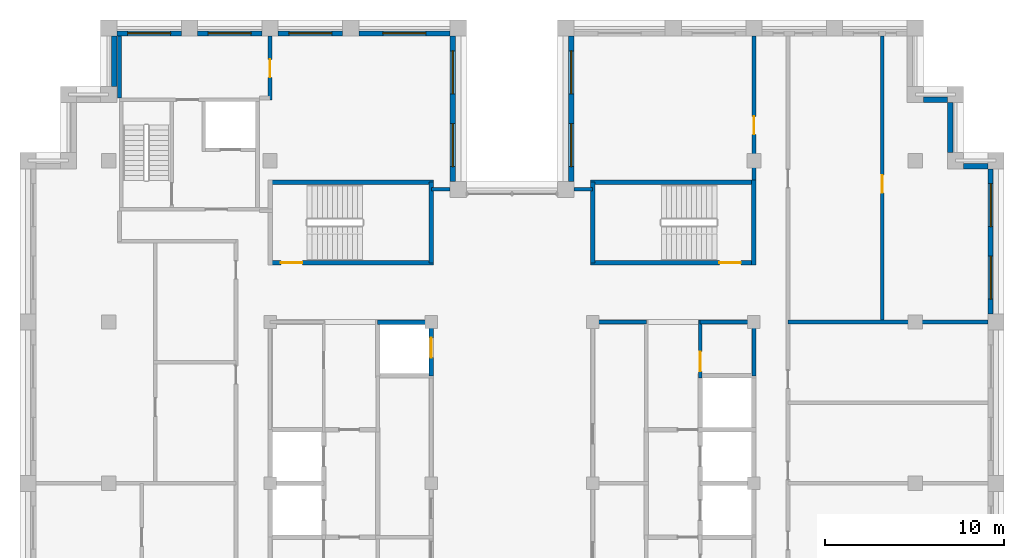
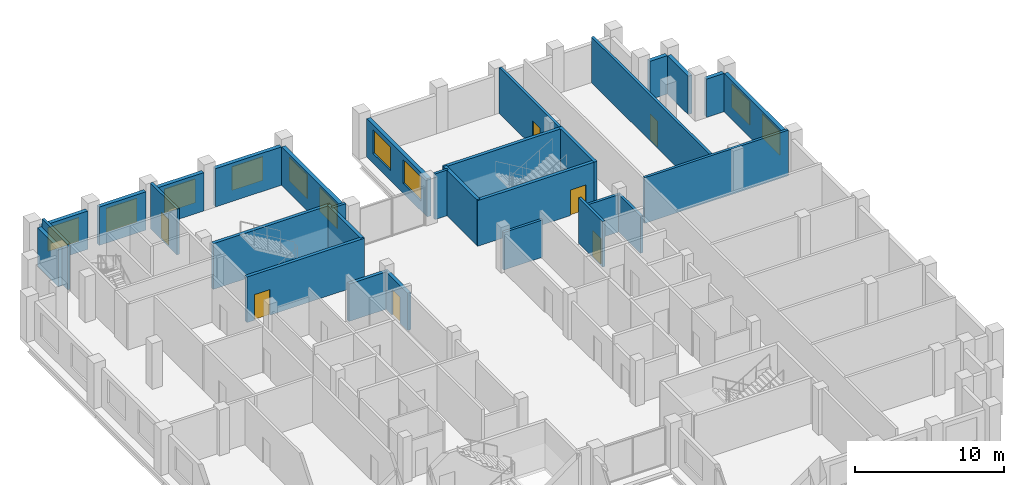
# One storey, part 10 of 13: 31 walls, 10 windows, 7 doors, 17 openings.
"""IFC4 building model written with IfcOpenShell, lengths in metres."""

from ifc_helpers import new_model, si_unit, direction, frame, frame_2d, origin, place, context, subcontext, project, spatial, rectangle, extrude, material, layer, layer_set, type_object, element, fill, save


model = new_model("IFC4")

# Units and contexts
model_context = context("Model", 3, precision=1e-05, world=origin(), true_north=direction((0.0, 1.0)))
body_context = subcontext(model_context, "Body", "Model", "MODEL_VIEW")
ifc_project = project(units=[si_unit("LENGTHUNIT", "METRE"), si_unit("AREAUNIT", "SQUARE_METRE"), si_unit("VOLUMEUNIT", "CUBIC_METRE"), si_unit("PLANEANGLEUNIT", "RADIAN"), si_unit("MASSUNIT", "GRAM", prefix="KILO")], contexts=[model_context])

# Site, building, storey
site_placement = place(None, origin())
site = spatial("IfcSite", under=ifc_project, at=site_placement, CompositionType="ELEMENT")
building_placement = place(site_placement, origin())
building = spatial("IfcBuilding", under=site, at=building_placement, Name="Corbelhall Arena Tower", CompositionType="ELEMENT")
storey_placement = place(building_placement, frame((0.0, 0.0, 338.0)))
storey = spatial("IfcBuildingStorey", under=building, at=storey_placement, Name="L74", CompositionType="ELEMENT", Elevation=338.0)

# Wall, openings, windows
ifc_material_1 = material(Name="Precast concrete C40/50 with granite facing", Category="masonry")
ifc_layer_1 = layer(ifc_material_1, 0.300048828125)
ifc_layer_set_1 = layer_set([ifc_layer_1], Name="EV-IW1 Infill panel 300")
wall_type_1 = type_object("IfcWallType", Name="EV-IW1 Infill panel 300", PredefinedType="SOLIDWALL", material=ifc_layer_set_1)
wall_1_placement = place(storey_placement, frame((26.699951171875, 9.449951171875, 0.0), z_axis=(0.0, 0.0, 1.0), x_axis=(0.0, 1.0, 0.0)))
wall_1 = element("IfcWall", 1, at=wall_1_placement, inside=storey, type_object=wall_type_1, Name="Infill panel IW1", PredefinedType="SOLIDWALL", context=body_context, shape_type="SweptSolid", body=[
    extrude(rectangle(XDim=8.10009765625, YDim=0.300048828125, at=frame_2d((4.050048828125, 0.0))), origin(), (0.0, 0.0, 1.0), 3.139892578125),
])
opening_1_placement = place(wall_1_placement, frame((0.824951171875, 0.0, 0.800048828125)))
opening_1 = element("IfcOpeningElement", 2, at=opening_1_placement, cuts=wall_1, Name="Opening WN1", PredefinedType="OPENING", context=body_context, shape_type="SweptSolid", body=[
    extrude(rectangle(XDim=2.39990234375, YDim=1.949951171875, at=frame_2d((1.199951171875, 0.97509765625))), frame((0.0, 0.14990234375, 0.0), z_axis=(0.0, -1.0, 0.0), x_axis=(1.0, 0.0, 0.0)), (0.0, 0.0, 1.0), 0.300048828125),
])
opening_2_placement = place(wall_1_placement, frame((4.875, 0.0, 0.800048828125)))
opening_2 = element("IfcOpeningElement", 3, at=opening_2_placement, cuts=wall_1, Name="Opening WN1", PredefinedType="OPENING", context=body_context, shape_type="SweptSolid", body=[
    extrude(rectangle(XDim=2.39990234375, YDim=1.949951171875, at=frame_2d((1.199951171875, 0.97509765625))), frame((0.0, 0.14990234375, 0.0), z_axis=(0.0, -1.0, 0.0), x_axis=(1.0, 0.0, 0.0)), (0.0, 0.0, 1.0), 0.300048828125),
])
ifc_material_2 = material(Name="Aluminium black anodised", Category="aluminium")
window_type = type_object("IfcWindowType", Name="EV-WN1 Office window", PartitioningType="SINGLE_PANEL", PredefinedType="WINDOW", material=ifc_material_2)
window_1_placement = place(opening_1_placement, origin())
window_1 = element("IfcWindow", 4, at=window_1_placement, inside=storey, type_object=window_type, Name="Window WN1", OverallHeight=1.949951171875, OverallWidth=2.39990234375, PartitioningType="SINGLE_PANEL", PredefinedType="WINDOW", context=body_context, shape_type="SweptSolid", body=[
    extrude(rectangle(XDim=2.39990234375, YDim=1.949951171875, at=frame_2d((1.199951171875, 0.97509765625))), frame((0.0, 0.030029296875, 0.0), z_axis=(0.0, -1.0, 0.0), x_axis=(1.0, 0.0, 0.0)), (0.0, 0.0, 1.0), 0.06005859375),
])
fill(opening_1, window_1)
window_2_placement = place(opening_2_placement, origin())
window_2 = element("IfcWindow", 5, at=window_2_placement, inside=storey, type_object=window_type, Name="Window WN1", OverallHeight=1.949951171875, OverallWidth=2.39990234375, PartitioningType="SINGLE_PANEL", PredefinedType="WINDOW", context=body_context, shape_type="SweptSolid", body=[
    extrude(rectangle(XDim=2.39990234375, YDim=1.949951171875, at=frame_2d((1.199951171875, 0.97509765625))), frame((0.0, 0.030029296875, 0.0), z_axis=(0.0, -1.0, 0.0), x_axis=(1.0, 0.0, 0.0)), (0.0, 0.0, 1.0), 0.06005859375),
])
fill(opening_2, window_2)

# Walls
wall_2_placement = place(storey_placement, frame((26.550048828125, 17.699951171875, 0.0), z_axis=(0.0, 0.0, 1.0), x_axis=(-1.0, 0.0, 0.0)))
element("IfcWall", 6, at=wall_2_placement, inside=storey, type_object=wall_type_1, Name="Infill panel IW1", PredefinedType="SOLIDWALL", context=body_context, shape_type="SweptSolid", body=[
    extrude(rectangle(XDim=1.35009765625, YDim=0.300048828125, at=frame_2d((0.675048828125, 0.0))), origin(), (0.0, 0.0, 1.0), 3.139892578125),
])
wall_3_placement = place(storey_placement, frame((24.449951171875, 18.449951171875, 0.0), z_axis=(0.0, 0.0, 1.0), x_axis=(0.0, 1.0, 0.0)))
element("IfcWall", 7, at=wall_3_placement, inside=storey, type_object=wall_type_1, Name="Infill panel IW1", PredefinedType="SOLIDWALL", context=body_context, shape_type="SweptSolid", body=[
    extrude(rectangle(XDim=2.800048828125, YDim=0.300048828125, at=frame_2d((1.39990234375, 0.0))), origin(), (0.0, 0.0, 1.0), 3.139892578125),
])
wall_4_placement = place(storey_placement, frame((24.300048828125, 21.39990234375, 0.0), z_axis=(0.0, 0.0, 1.0), x_axis=(-1.0, 0.0, 0.0)))
element("IfcWall", 8, at=wall_4_placement, inside=storey, type_object=wall_type_1, Name="Infill panel IW1", PredefinedType="SOLIDWALL", context=body_context, shape_type="SweptSolid", body=[
    extrude(rectangle(XDim=1.35009765625, YDim=0.300048828125, at=frame_2d((0.675048828125, 0.0))), origin(), (0.0, 0.0, 1.0), 3.139892578125),
])

# Wall, openings, windows
wall_5_placement = place(storey_placement, frame((3.300048828125, 24.949951171875, 0.0), z_axis=(0.0, 0.0, 1.0), x_axis=(0.0, -1.0, 0.0)))
wall_5 = element("IfcWall", 9, at=wall_5_placement, inside=storey, type_object=wall_type_1, Name="Infill panel IW1", PredefinedType="SOLIDWALL", context=body_context, shape_type="SweptSolid", body=[
    extrude(rectangle(XDim=8.099853515625, YDim=0.300048828125, at=frame_2d((4.0498046875, 0.0))), origin(), (0.0, 0.0, 1.0), 3.139892578125),
])
opening_3_placement = place(wall_5_placement, frame((0.824951171875, 0.0, 0.800048828125)))
opening_3 = element("IfcOpeningElement", 10, at=opening_3_placement, cuts=wall_5, Name="Opening WN1", PredefinedType="OPENING", context=body_context, shape_type="SweptSolid", body=[
    extrude(rectangle(XDim=2.39990234375, YDim=1.949951171875, at=frame_2d((1.199951171875, 0.97509765625))), frame((0.0, 0.14990234375, 0.0), z_axis=(0.0, -1.0, 0.0), x_axis=(1.0, 0.0, 0.0)), (0.0, 0.0, 1.0), 0.300048828125),
])
opening_4_placement = place(wall_5_placement, frame((4.875, 0.0, 0.800048828125)))
opening_4 = element("IfcOpeningElement", 11, at=opening_4_placement, cuts=wall_5, Name="Opening WN1", PredefinedType="OPENING", context=body_context, shape_type="SweptSolid", body=[
    extrude(rectangle(XDim=2.39990234375, YDim=1.949951171875, at=frame_2d((1.199951171875, 0.97509765625))), frame((0.0, 0.14990234375, 0.0), z_axis=(0.0, -1.0, 0.0), x_axis=(1.0, 0.0, 0.0)), (0.0, 0.0, 1.0), 0.300048828125),
])
window_3_placement = place(opening_3_placement, origin())
window_3 = element("IfcWindow", 12, at=window_3_placement, inside=storey, type_object=window_type, Name="Window WN1", OverallHeight=1.949951171875, OverallWidth=2.39990234375, PartitioningType="SINGLE_PANEL", PredefinedType="WINDOW", context=body_context, shape_type="SweptSolid", body=[
    extrude(rectangle(XDim=2.39990234375, YDim=1.949951171875, at=frame_2d((1.199951171875, 0.97509765625))), frame((0.0, 0.030029296875, 0.0), z_axis=(0.0, -1.0, 0.0), x_axis=(1.0, 0.0, 0.0)), (0.0, 0.0, 1.0), 0.06005859375),
])
fill(opening_3, window_3)
window_4_placement = place(opening_4_placement, origin())
window_4 = element("IfcWindow", 13, at=window_4_placement, inside=storey, type_object=window_type, Name="Window WN1", OverallHeight=1.949951171875, OverallWidth=2.39990234375, PartitioningType="SINGLE_PANEL", PredefinedType="WINDOW", context=body_context, shape_type="SweptSolid", body=[
    extrude(rectangle(XDim=2.39990234375, YDim=1.949951171875, at=frame_2d((1.199951171875, 0.97509765625))), frame((0.0, 0.030029296875, 0.0), z_axis=(0.0, -1.0, 0.0), x_axis=(1.0, 0.0, 0.0)), (0.0, 0.0, 1.0), 0.06005859375),
])
fill(opening_4, window_4)

wall_6_placement = place(storey_placement, frame((-3.300048828125, 16.85009765625, 0.0), z_axis=(0.0, 0.0, 1.0), x_axis=(0.0, 1.0, 0.0)))
wall_6 = element("IfcWall", 14, at=wall_6_placement, inside=storey, type_object=wall_type_1, Name="Infill panel IW1", PredefinedType="SOLIDWALL", context=body_context, shape_type="SweptSolid", body=[
    extrude(rectangle(XDim=8.099853515625, YDim=0.300048828125, at=frame_2d((4.0498046875, 0.0))), origin(), (0.0, 0.0, 1.0), 3.139892578125),
])
opening_5_placement = place(wall_6_placement, frame((0.824951171875, 0.0, 0.800048828125)))
opening_5 = element("IfcOpeningElement", 15, at=opening_5_placement, cuts=wall_6, Name="Opening WN1", PredefinedType="OPENING", context=body_context, shape_type="SweptSolid", body=[
    extrude(rectangle(XDim=2.39990234375, YDim=1.949951171875, at=frame_2d((1.199951171875, 0.97509765625))), frame((0.0, 0.14990234375, 0.0), z_axis=(0.0, -1.0, 0.0), x_axis=(1.0, 0.0, 0.0)), (0.0, 0.0, 1.0), 0.300048828125),
])
opening_6_placement = place(wall_6_placement, frame((4.875, 0.0, 0.800048828125)))
opening_6 = element("IfcOpeningElement", 16, at=opening_6_placement, cuts=wall_6, Name="Opening WN1", PredefinedType="OPENING", context=body_context, shape_type="SweptSolid", body=[
    extrude(rectangle(XDim=2.39990234375, YDim=1.949951171875, at=frame_2d((1.199951171875, 0.97509765625))), frame((0.0, 0.14990234375, 0.0), z_axis=(0.0, -1.0, 0.0), x_axis=(1.0, 0.0, 0.0)), (0.0, 0.0, 1.0), 0.300048828125),
])
window_5_placement = place(opening_5_placement, origin())
window_5 = element("IfcWindow", 17, at=window_5_placement, inside=storey, type_object=window_type, Name="Window WN1", OverallHeight=1.949951171875, OverallWidth=2.39990234375, PartitioningType="SINGLE_PANEL", PredefinedType="WINDOW", context=body_context, shape_type="SweptSolid", body=[
    extrude(rectangle(XDim=2.39990234375, YDim=1.949951171875, at=frame_2d((1.199951171875, 0.97509765625))), frame((0.0, 0.030029296875, 0.0), z_axis=(0.0, -1.0, 0.0), x_axis=(1.0, 0.0, 0.0)), (0.0, 0.0, 1.0), 0.06005859375),
])
fill(opening_5, window_5)
window_6_placement = place(opening_6_placement, origin())
window_6 = element("IfcWindow", 18, at=window_6_placement, inside=storey, type_object=window_type, Name="Window WN1", OverallHeight=1.949951171875, OverallWidth=2.39990234375, PartitioningType="SINGLE_PANEL", PredefinedType="WINDOW", context=body_context, shape_type="SweptSolid", body=[
    extrude(rectangle(XDim=2.39990234375, YDim=1.949951171875, at=frame_2d((1.199951171875, 0.97509765625))), frame((0.0, 0.030029296875, 0.0), z_axis=(0.0, -1.0, 0.0), x_axis=(1.0, 0.0, 0.0)), (0.0, 0.0, 1.0), 0.06005859375),
])
fill(opening_6, window_6)

# Wall, opening, window
wall_7_placement = place(storey_placement, frame((-3.449951171875, 25.10009765625, 0.0), z_axis=(0.0, 0.0, 1.0), x_axis=(-1.0, 0.0, 0.0)))
wall_7 = element("IfcWall", 19, at=wall_7_placement, inside=storey, type_object=wall_type_1, Name="Infill panel IW1", PredefinedType="SOLIDWALL", context=body_context, shape_type="SweptSolid", body=[
    extrude(rectangle(XDim=5.10009765625, YDim=0.300048828125, at=frame_2d((2.550048828125, 0.0))), origin(), (0.0, 0.0, 1.0), 3.139892578125),
])
opening_7_placement = place(wall_7_placement, frame((1.35009765625, 0.0, 0.800048828125)))
opening_7 = element("IfcOpeningElement", 20, at=opening_7_placement, cuts=wall_7, Name="Opening WN1", PredefinedType="OPENING", context=body_context, shape_type="SweptSolid", body=[
    extrude(rectangle(XDim=2.39990234375, YDim=1.949951171875, at=frame_2d((1.199951171875, 0.97509765625))), frame((0.0, 0.14990234375, 0.0), z_axis=(0.0, -1.0, 0.0), x_axis=(1.0, 0.0, 0.0)), (0.0, 0.0, 1.0), 0.300048828125),
])
window_7_placement = place(opening_7_placement, origin())
window_7 = element("IfcWindow", 21, at=window_7_placement, inside=storey, type_object=window_type, Name="Window WN1", OverallHeight=1.949951171875, OverallWidth=2.39990234375, PartitioningType="SINGLE_PANEL", PredefinedType="WINDOW", context=body_context, shape_type="SweptSolid", body=[
    extrude(rectangle(XDim=2.39990234375, YDim=1.949951171875, at=frame_2d((1.199951171875, 0.97509765625))), frame((0.0, 0.030029296875, 0.0), z_axis=(0.0, -1.0, 0.0), x_axis=(1.0, 0.0, 0.0)), (0.0, 0.0, 1.0), 0.06005859375),
])
fill(opening_7, window_7)

wall_8_placement = place(storey_placement, frame((-9.449951171875, 25.10009765625, 0.0), z_axis=(0.0, 0.0, 1.0), x_axis=(-1.0, 0.0, 0.0)))
wall_8 = element("IfcWall", 22, at=wall_8_placement, inside=storey, type_object=wall_type_1, Name="Infill panel IW1", PredefinedType="SOLIDWALL", context=body_context, shape_type="SweptSolid", body=[
    extrude(rectangle(XDim=3.60009765625, YDim=0.300048828125, at=frame_2d((1.800048828125, 0.0))), origin(), (0.0, 0.0, 1.0), 3.139892578125),
])
opening_8_placement = place(wall_8_placement, frame((0.60009765625, 0.0, 0.800048828125)))
opening_8 = element("IfcOpeningElement", 23, at=opening_8_placement, cuts=wall_8, Name="Opening WN1", PredefinedType="OPENING", context=body_context, shape_type="SweptSolid", body=[
    extrude(rectangle(XDim=2.39990234375, YDim=1.949951171875, at=frame_2d((1.199951171875, 0.97509765625))), frame((0.0, 0.14990234375, 0.0), z_axis=(0.0, -1.0, 0.0), x_axis=(1.0, 0.0, 0.0)), (0.0, 0.0, 1.0), 0.300048828125),
])
window_8_placement = place(opening_8_placement, origin())
window_8 = element("IfcWindow", 24, at=window_8_placement, inside=storey, type_object=window_type, Name="Window WN1", OverallHeight=1.949951171875, OverallWidth=2.39990234375, PartitioningType="SINGLE_PANEL", PredefinedType="WINDOW", context=body_context, shape_type="SweptSolid", body=[
    extrude(rectangle(XDim=2.39990234375, YDim=1.949951171875, at=frame_2d((1.199951171875, 0.97509765625))), frame((0.0, 0.030029296875, 0.0), z_axis=(0.0, -1.0, 0.0), x_axis=(1.0, 0.0, 0.0)), (0.0, 0.0, 1.0), 0.06005859375),
])
fill(opening_8, window_8)

wall_9_placement = place(storey_placement, frame((-13.949951171875, 25.10009765625, 0.0), z_axis=(0.0, 0.0, 1.0), x_axis=(-1.0, 0.0, 0.0)))
wall_9 = element("IfcWall", 25, at=wall_9_placement, inside=storey, type_object=wall_type_1, Name="Infill panel IW1", PredefinedType="SOLIDWALL", context=body_context, shape_type="SweptSolid", body=[
    extrude(rectangle(XDim=3.60009765625, YDim=0.300048828125, at=frame_2d((1.800048828125, 0.0))), origin(), (0.0, 0.0, 1.0), 3.139892578125),
])
opening_9_placement = place(wall_9_placement, frame((0.60009765625, 0.0, 0.800048828125)))
opening_9 = element("IfcOpeningElement", 26, at=opening_9_placement, cuts=wall_9, Name="Opening WN1", PredefinedType="OPENING", context=body_context, shape_type="SweptSolid", body=[
    extrude(rectangle(XDim=2.39990234375, YDim=1.949951171875, at=frame_2d((1.199951171875, 0.97509765625))), frame((0.0, 0.14990234375, 0.0), z_axis=(0.0, -1.0, 0.0), x_axis=(1.0, 0.0, 0.0)), (0.0, 0.0, 1.0), 0.300048828125),
])
window_9_placement = place(opening_9_placement, origin())
window_9 = element("IfcWindow", 27, at=window_9_placement, inside=storey, type_object=window_type, Name="Window WN1", OverallHeight=1.949951171875, OverallWidth=2.39990234375, PartitioningType="SINGLE_PANEL", PredefinedType="WINDOW", context=body_context, shape_type="SweptSolid", body=[
    extrude(rectangle(XDim=2.39990234375, YDim=1.949951171875, at=frame_2d((1.199951171875, 0.97509765625))), frame((0.0, 0.030029296875, 0.0), z_axis=(0.0, -1.0, 0.0), x_axis=(1.0, 0.0, 0.0)), (0.0, 0.0, 1.0), 0.06005859375),
])
fill(opening_9, window_9)

wall_10_placement = place(storey_placement, frame((-18.449951171875, 25.10009765625, 0.0), z_axis=(0.0, 0.0, 1.0), x_axis=(-1.0, 0.0, 0.0)))
wall_10 = element("IfcWall", 28, at=wall_10_placement, inside=storey, type_object=wall_type_1, Name="Infill panel IW1", PredefinedType="SOLIDWALL", context=body_context, shape_type="SweptSolid", body=[
    extrude(rectangle(XDim=3.60009765625, YDim=0.300048828125, at=frame_2d((1.800048828125, 0.0))), origin(), (0.0, 0.0, 1.0), 3.139892578125),
])
opening_10_placement = place(wall_10_placement, frame((0.60009765625, 0.0, 0.800048828125)))
opening_10 = element("IfcOpeningElement", 29, at=opening_10_placement, cuts=wall_10, Name="Opening WN1", PredefinedType="OPENING", context=body_context, shape_type="SweptSolid", body=[
    extrude(rectangle(XDim=2.39990234375, YDim=1.949951171875, at=frame_2d((1.199951171875, 0.97509765625))), frame((0.0, 0.14990234375, 0.0), z_axis=(0.0, -1.0, 0.0), x_axis=(1.0, 0.0, 0.0)), (0.0, 0.0, 1.0), 0.300048828125),
])
window_10_placement = place(opening_10_placement, origin())
window_10 = element("IfcWindow", 30, at=window_10_placement, inside=storey, type_object=window_type, Name="Window WN1", OverallHeight=1.949951171875, OverallWidth=2.39990234375, PartitioningType="SINGLE_PANEL", PredefinedType="WINDOW", context=body_context, shape_type="SweptSolid", body=[
    extrude(rectangle(XDim=2.39990234375, YDim=1.949951171875, at=frame_2d((1.199951171875, 0.97509765625))), frame((0.0, 0.030029296875, 0.0), z_axis=(0.0, -1.0, 0.0), x_axis=(1.0, 0.0, 0.0)), (0.0, 0.0, 1.0), 0.06005859375),
])
fill(opening_10, window_10)

# Walls
wall_11_placement = place(storey_placement, frame((-22.199951171875, 24.949951171875, 0.0), z_axis=(0.0, 0.0, 1.0), x_axis=(0.0, -1.0, 0.0)))
element("IfcWall", 31, at=wall_11_placement, inside=storey, type_object=wall_type_1, Name="Infill panel IW1", PredefinedType="SOLIDWALL", context=body_context, shape_type="SweptSolid", body=[
    extrude(rectangle(XDim=2.800048828125, YDim=0.300048828125, at=frame_2d((1.39990234375, 0.0))), origin(), (0.0, 0.0, 1.0), 3.139892578125),
])
ifc_material_3 = material(Name="Gypsum board on steel stud, acoustic", Category="steel")
ifc_layer_2 = layer(ifc_material_3, 0.199951171875)
ifc_layer_set_2 = layer_set([ifc_layer_2], Name="IN-W-DM200")
wall_type_2 = type_object("IfcWallType", Name="IN-W-DM200", PredefinedType="PARTITIONING", material=ifc_layer_set_2)
wall_12_placement = place(storey_placement, frame((-21.89990234375, 21.5, 0.0), z_axis=(0.0, 0.0, 1.0), x_axis=(0.0, 1.0, 0.0)))
element("IfcWall", 32, at=wall_12_placement, inside=storey, type_object=wall_type_2, Name="Partition 005", PredefinedType="PARTITIONING", context=body_context, shape_type="SweptSolid", body=[
    extrude(rectangle(XDim=3.449951171875, YDim=0.199951171875, at=frame_2d((1.72509765625, 0.0))), origin(), (0.0, 0.0, 1.0), 3.739990234375),
])

# Wall, opening, door
wall_13_placement = place(storey_placement, frame((-13.5, 24.949951171875, 0.0), z_axis=(0.0, 0.0, 1.0), x_axis=(0.0, -1.0, 0.0)))
wall_13 = element("IfcWall", 33, at=wall_13_placement, inside=storey, type_object=wall_type_2, Name="Partition 015", PredefinedType="PARTITIONING", context=body_context, shape_type="SweptSolid", body=[
    extrude(rectangle(XDim=3.550048828125, YDim=0.199951171875, at=frame_2d((1.77490234375, 0.0))), origin(), (0.0, 0.0, 1.0), 3.739990234375),
])
opening_11_placement = place(wall_13_placement, frame((1.300048828125, 0.0, 0.0)))
opening_11 = element("IfcOpeningElement", 34, at=opening_11_placement, cuts=wall_13, Name="Opening 24018", PredefinedType="OPENING", context=body_context, shape_type="SweptSolid", body=[
    extrude(rectangle(XDim=1.0, YDim=2.10009765625, at=frame_2d((0.5, 1.050048828125))), frame((0.0, 0.10009765625, 0.0), z_axis=(0.0, -1.0, 0.0), x_axis=(1.0, 0.0, 0.0)), (0.0, 0.0, 1.0), 0.199951171875),
])
ifc_material_4 = material(Name="Steel door set", Category="steel")
door_type_1 = type_object("IfcDoorType", Name="IN-D-SW100", OperationType="NOTDEFINED", PredefinedType="DOOR", material=ifc_material_4)
door_1_placement = place(opening_11_placement, origin())
door_1 = element("IfcDoor", 35, at=door_1_placement, inside=storey, type_object=door_type_1, Name="Door 018", OperationType="SINGLE_SWING_LEFT", OverallHeight=2.10009765625, OverallWidth=1.0, PredefinedType="DOOR", context=body_context, shape_type="SweptSolid", body=[
    extrude(rectangle(XDim=1.0, YDim=2.10009765625, at=frame_2d((0.5, 1.050048828125))), frame((0.0, 0.02490234375, 0.0), z_axis=(0.0, -1.0, 0.0), x_axis=(1.0, 0.0, 0.0)), (0.0, 0.0, 1.0), 0.050048828125),
])
fill(opening_11, door_1)

# Walls
for number, where, z_axis, x_axis, name in (
    (36, (-4.5, 16.39990234375, 0.0), (0.0, 0.0, 1.0), (1.0, 0.0, 0.0), "Partition 016"),
    (37, (3.449951171875, 16.39990234375, 0.0), (0.0, 0.0, 1.0), (1.0, 0.0, 0.0), "Partition 018"),
):
    element("IfcWall", number, at=place(storey_placement, frame(where, z_axis=z_axis, x_axis=x_axis)), inside=storey, type_object=wall_type_2, Name=name, PredefinedType="PARTITIONING", context=body_context, shape_type="SweptSolid", body=[
        extrude(rectangle(XDim=1.050048828125, YDim=0.199951171875, at=frame_2d((0.52490234375, 0.0))), origin(), (0.0, 0.0, 1.0), 3.739990234375),
    ])

# Wall, opening, door
wall_14_placement = place(storey_placement, frame((13.5, 16.675048828125, 0.0), z_axis=(0.0, 0.0, 1.0), x_axis=(0.0, 1.0, 0.0)))
wall_14 = element("IfcWall", 38, at=wall_14_placement, inside=storey, type_object=wall_type_2, Name="Partition 021", PredefinedType="PARTITIONING", context=body_context, shape_type="SweptSolid", body=[
    extrude(rectangle(XDim=8.27490234375, YDim=0.199951171875, at=frame_2d((4.137451171875, 0.0))), origin(), (0.0, 0.0, 1.0), 3.739990234375),
])
opening_12_placement = place(wall_14_placement, frame((2.800048828125, 0.0, 0.0)))
opening_12 = element("IfcOpeningElement", 39, at=opening_12_placement, cuts=wall_14, Name="Opening 24019", PredefinedType="OPENING", context=body_context, shape_type="SweptSolid", body=[
    extrude(rectangle(XDim=1.0, YDim=2.10009765625, at=frame_2d((0.5, 1.050048828125))), frame((0.0, 0.10009765625, 0.0), z_axis=(0.0, -1.0, 0.0), x_axis=(1.0, 0.0, 0.0)), (0.0, 0.0, 1.0), 0.199951171875),
])
door_2_placement = place(opening_12_placement, origin())
door_2 = element("IfcDoor", 40, at=door_2_placement, inside=storey, type_object=door_type_1, Name="Door 019", OperationType="SINGLE_SWING_RIGHT", OverallHeight=2.10009765625, OverallWidth=1.0, PredefinedType="DOOR", context=body_context, shape_type="SweptSolid", body=[
    extrude(rectangle(XDim=1.0, YDim=2.10009765625, at=frame_2d((0.5, 1.050048828125))), frame((0.0, 0.02490234375, 0.0), z_axis=(0.0, -1.0, 0.0), x_axis=(1.0, 0.0, 0.0)), (0.0, 0.0, 1.0), 0.050048828125),
])
fill(opening_12, door_2)

# Wall
wall_15_placement = place(storey_placement, frame((15.39990234375, 9.0, 0.0), z_axis=(0.0, 0.0, 1.0), x_axis=(1.0, 0.0, 0.0)))
element("IfcWall", 41, at=wall_15_placement, inside=storey, type_object=wall_type_2, Name="Partition 028", PredefinedType="PARTITIONING", context=body_context, shape_type="SweptSolid", body=[
    extrude(rectangle(XDim=11.150146484375, YDim=0.199951171875, at=frame_2d((5.5751953125, 0.0))), origin(), (0.0, 0.0, 1.0), 3.739990234375),
])

# Wall, opening, door
wall_16_placement = place(storey_placement, frame((20.64990234375, 24.949951171875, 0.0), z_axis=(0.0, 0.0, 1.0), x_axis=(0.0, -1.0, 0.0)))
wall_16 = element("IfcWall", 42, at=wall_16_placement, inside=storey, type_object=wall_type_2, Name="Partition 029", PredefinedType="PARTITIONING", context=body_context, shape_type="SweptSolid", body=[
    extrude(rectangle(XDim=15.949951171875, YDim=0.199951171875, at=frame_2d((7.97509765625, 0.0))), origin(), (0.0, 0.0, 1.0), 3.739990234375),
])
opening_13_placement = place(wall_16_placement, frame((7.75, 0.0, 0.0)))
opening_13 = element("IfcOpeningElement", 43, at=opening_13_placement, cuts=wall_16, Name="Opening 24033", PredefinedType="OPENING", context=body_context, shape_type="SweptSolid", body=[
    extrude(rectangle(XDim=1.0, YDim=2.10009765625, at=frame_2d((0.5, 1.050048828125))), frame((0.0, 0.10009765625, 0.0), z_axis=(0.0, -1.0, 0.0), x_axis=(1.0, 0.0, 0.0)), (0.0, 0.0, 1.0), 0.199951171875),
])
door_3_placement = place(opening_13_placement, origin())
door_3 = element("IfcDoor", 44, at=door_3_placement, inside=storey, type_object=door_type_1, Name="Door 033", OperationType="SINGLE_SWING_RIGHT", OverallHeight=2.10009765625, OverallWidth=1.0, PredefinedType="DOOR", context=body_context, shape_type="SweptSolid", body=[
    extrude(rectangle(XDim=1.0, YDim=2.10009765625, at=frame_2d((0.5, 1.050048828125))), frame((0.0, 0.02490234375, 0.0), z_axis=(0.0, -1.0, 0.0), x_axis=(1.0, 0.0, 0.0)), (0.0, 0.0, 1.0), 0.050048828125),
])
fill(opening_13, door_3)

ifc_material_5 = material(Name="Concrete block wall", Category="concrete")
ifc_layer_3 = layer(ifc_material_5, 0.199951171875)
ifc_layer_set_3 = layer_set([ifc_layer_3], Name="IN-W-RS200")
wall_type_3 = type_object("IfcWallType", Name="IN-W-RS200", PredefinedType="SOLIDWALL", material=ifc_layer_set_3)
wall_17_placement = place(storey_placement, frame((10.5, 9.10009765625, 0.0), z_axis=(0.0, 0.0, 1.0), x_axis=(0.0, -1.0, 0.0)))
wall_17 = element("IfcWall", 45, at=wall_17_placement, inside=storey, type_object=wall_type_3, Name="Partition 045", PredefinedType="SOLIDWALL", context=body_context, shape_type="SweptSolid", body=[
    extrude(rectangle(XDim=3.22509765625, YDim=0.199951171875, at=frame_2d((1.612548828125, 0.0))), origin(), (0.0, 0.0, 1.0), 3.739990234375),
])
opening_14_placement = place(wall_17_placement, frame((1.75, 0.0, 0.0)))
opening_14 = element("IfcOpeningElement", 46, at=opening_14_placement, cuts=wall_17, Name="Opening 24013", PredefinedType="OPENING", context=body_context, shape_type="SweptSolid", body=[
    extrude(rectangle(XDim=1.10009765625, YDim=2.10009765625, at=frame_2d((0.550048828125, 1.050048828125))), frame((0.0, 0.10009765625, 0.0), z_axis=(0.0, -1.0, 0.0), x_axis=(1.0, 0.0, 0.0)), (0.0, 0.0, 1.0), 0.199951171875),
])
door_type_2 = type_object("IfcDoorType", Name="IN-D-FD110", OperationType="NOTDEFINED", PredefinedType="DOOR", material=ifc_material_4)
door_4_placement = place(opening_14_placement, origin())
door_4 = element("IfcDoor", 47, at=door_4_placement, inside=storey, type_object=door_type_2, Name="Door 013", OperationType="SINGLE_SWING_RIGHT", OverallHeight=2.10009765625, OverallWidth=1.10009765625, PredefinedType="DOOR", context=body_context, shape_type="SweptSolid", body=[
    extrude(rectangle(XDim=1.10009765625, YDim=2.10009765625, at=frame_2d((0.550048828125, 1.050048828125))), frame((0.0, 0.02490234375, 0.0), z_axis=(0.0, -1.0, 0.0), x_axis=(1.0, 0.0, 0.0)), (0.0, 0.0, 1.0), 0.050048828125),
])
fill(opening_14, door_4)

# Walls
ifc_layer_4 = layer(ifc_material_5, 0.199951171875)
ifc_layer_set_4 = layer_set([ifc_layer_4], Name="IN-W-RS200 under beam 678 mm")
wall_type_4 = type_object("IfcWallType", Name="IN-W-RS200 under beam 678 mm", PredefinedType="SOLIDWALL", material=ifc_layer_set_4)
for number, where, z_axis, x_axis, name in (
    (48, (4.5, 9.0, 0.0), (0.0, 0.0, 1.0), (1.0, 0.0, 0.0), "Partition 040"),
    (49, (10.5, 9.0, 0.0), (0.0, 0.0, 1.0), (1.0, 0.0, 0.0), "Partition 044"),
):
    element("IfcWall", number, at=place(storey_placement, frame(where, z_axis=z_axis, x_axis=x_axis)), inside=storey, type_object=wall_type_4, Name=name, PredefinedType="SOLIDWALL", context=body_context, shape_type="SweptSolid", body=[
        extrude(rectangle(XDim=3.0, YDim=0.199951171875, at=frame_2d((1.5, 0.0))), origin(), (0.0, 0.0, 1.0), 3.061767578125),
    ])
wall_18_placement = place(storey_placement, frame((13.5, 9.10009765625, 0.0), z_axis=(0.0, 0.0, 1.0), x_axis=(0.0, -1.0, 0.0)))
element("IfcWall", 50, at=wall_18_placement, inside=storey, type_object=wall_type_4, Name="Partition 047", PredefinedType="SOLIDWALL", context=body_context, shape_type="SweptSolid", body=[
    extrude(rectangle(XDim=3.10009765625, YDim=0.199951171875, at=frame_2d((1.550048828125, 0.0))), origin(), (0.0, 0.0, 1.0), 3.061767578125),
])
ifc_material_6 = material(Name="Concrete C40/50", Category="concrete")
ifc_layer_5 = layer(ifc_material_6, 0.25)
ifc_layer_set_5 = layer_set([ifc_layer_5], Name="IN-W-SH250 under beam 678 mm")
wall_type_5 = type_object("IfcWallType", Name="IN-W-SH250 under beam 678 mm", PredefinedType="SOLIDWALL", material=ifc_layer_set_5)
wall_19_placement = place(storey_placement, frame((-7.5, 9.0, 0.0), z_axis=(0.0, 0.0, 1.0), x_axis=(1.0, 0.0, 0.0)))
element("IfcWall", 51, at=wall_19_placement, inside=storey, type_object=wall_type_5, Name="Shaft wall 056", PredefinedType="SOLIDWALL", context=body_context, shape_type="SweptSolid", body=[
    extrude(rectangle(XDim=3.0, YDim=0.25, at=frame_2d((1.5, 0.0))), origin(), (0.0, 0.0, 1.0), 3.061767578125),
])

# Wall, opening, door
wall_20_placement = place(storey_placement, frame((-4.5, 9.125, 0.0), z_axis=(0.0, 0.0, 1.0), x_axis=(0.0, -1.0, 0.0)))
wall_20 = element("IfcWall", 52, at=wall_20_placement, inside=storey, type_object=wall_type_5, Name="Shaft wall 057", PredefinedType="SOLIDWALL", context=body_context, shape_type="SweptSolid", body=[
    extrude(rectangle(XDim=3.125, YDim=0.25, at=frame_2d((1.5625, 0.0))), origin(), (0.0, 0.0, 1.0), 3.061767578125),
])
opening_15_placement = place(wall_20_placement, frame((1.012451171875, 0.0, 0.0)))
opening_15 = element("IfcOpeningElement", 53, at=opening_15_placement, cuts=wall_20, Name="Opening LD", PredefinedType="OPENING", context=body_context, shape_type="SweptSolid", body=[
    extrude(rectangle(XDim=1.10009765625, YDim=2.10009765625, at=frame_2d((0.550048828125, 1.050048828125))), frame((0.0, 0.125, 0.0), z_axis=(0.0, -1.0, 0.0), x_axis=(1.0, 0.0, 0.0)), (0.0, 0.0, 1.0), 0.25),
])
door_type_3 = type_object("IfcDoorType", Name="IN-D-LD110", OperationType="NOTDEFINED", PredefinedType="DOOR", material=ifc_material_4)
door_5_placement = place(opening_15_placement, origin())
door_5 = element("IfcDoor", 54, at=door_5_placement, inside=storey, type_object=door_type_3, Name="Landing door W6", OperationType="SLIDING_TO_LEFT", OverallHeight=2.10009765625, OverallWidth=1.10009765625, PredefinedType="DOOR", context=body_context, shape_type="SweptSolid", body=[
    extrude(rectangle(XDim=1.10009765625, YDim=2.10009765625, at=frame_2d((0.550048828125, 1.050048828125))), frame((0.0, 0.02490234375, 0.0), z_axis=(0.0, -1.0, 0.0), x_axis=(1.0, 0.0, 0.0)), (0.0, 0.0, 1.0), 0.050048828125),
])
fill(opening_15, door_5)

ifc_layer_6 = layer(ifc_material_6, 0.25)
ifc_layer_set_6 = layer_set([ifc_layer_6], Name="IN-W-ST250")
wall_type_6 = type_object("IfcWallType", Name="IN-W-ST250", PredefinedType="SOLIDWALL", material=ifc_layer_set_6)
wall_21_placement = place(storey_placement, frame((-13.5, 12.300048828125, 0.0), z_axis=(0.0, 0.0, 1.0), x_axis=(1.0, 0.0, 0.0)))
wall_21 = element("IfcWall", 55, at=wall_21_placement, inside=storey, type_object=wall_type_6, Name="Shaft wall 070", PredefinedType="SOLIDWALL", context=body_context, shape_type="SweptSolid", body=[
    extrude(rectangle(XDim=9.125, YDim=0.25, at=frame_2d((4.5625, 0.0))), origin(), (0.0, 0.0, 1.0), 3.739990234375),
])
opening_16_placement = place(wall_21_placement, frame((0.60009765625, 0.0, 0.0)))
opening_16 = element("IfcOpeningElement", 56, at=opening_16_placement, cuts=wall_21, Name="Opening 24014", PredefinedType="OPENING", context=body_context, shape_type="SweptSolid", body=[
    extrude(rectangle(XDim=1.199951171875, YDim=2.10009765625, at=frame_2d((0.60009765625, 1.050048828125))), frame((0.0, 0.125, 0.0), z_axis=(0.0, -1.0, 0.0), x_axis=(1.0, 0.0, 0.0)), (0.0, 0.0, 1.0), 0.25),
])
door_type_4 = type_object("IfcDoorType", Name="IN-D-ST120", OperationType="NOTDEFINED", PredefinedType="DOOR", material=ifc_material_4)
door_6_placement = place(opening_16_placement, origin())
door_6 = element("IfcDoor", 57, at=door_6_placement, inside=storey, type_object=door_type_4, Name="Door 014", OperationType="SINGLE_SWING_LEFT", OverallHeight=2.10009765625, OverallWidth=1.199951171875, PredefinedType="DOOR", context=body_context, shape_type="SweptSolid", body=[
    extrude(rectangle(XDim=1.199951171875, YDim=2.10009765625, at=frame_2d((0.60009765625, 1.050048828125))), frame((0.0, 0.02490234375, 0.0), z_axis=(0.0, -1.0, 0.0), x_axis=(1.0, 0.0, 0.0)), (0.0, 0.0, 1.0), 0.050048828125),
])
fill(opening_16, door_6)

# Walls
wall_22_placement = place(storey_placement, frame((-13.5, 16.800048828125, 0.0), z_axis=(0.0, 0.0, 1.0), x_axis=(1.0, 0.0, 0.0)))
element("IfcWall", 58, at=wall_22_placement, inside=storey, type_object=wall_type_6, Name="Shaft wall 072", PredefinedType="SOLIDWALL", context=body_context, shape_type="SweptSolid", body=[
    extrude(rectangle(XDim=9.125, YDim=0.25, at=frame_2d((4.5625, 0.0))), origin(), (0.0, 0.0, 1.0), 3.739990234375),
])
wall_23_placement = place(storey_placement, frame((-4.5, 16.800048828125, 0.0), z_axis=(0.0, 0.0, 1.0), x_axis=(0.0, -1.0, 0.0)))
element("IfcWall", 59, at=wall_23_placement, inside=storey, type_object=wall_type_6, Name="Shaft wall 075", PredefinedType="SOLIDWALL", context=body_context, shape_type="SweptSolid", body=[
    extrude(rectangle(XDim=4.5, YDim=0.25, at=frame_2d((2.25, 0.0))), origin(), (0.0, 0.0, 1.0), 3.739990234375),
])

# Wall, opening, door
wall_24_placement = place(storey_placement, frame((4.375, 12.300048828125, 0.0), z_axis=(0.0, 0.0, 1.0), x_axis=(1.0, 0.0, 0.0)))
wall_24 = element("IfcWall", 60, at=wall_24_placement, inside=storey, type_object=wall_type_6, Name="Shaft wall 077", PredefinedType="SOLIDWALL", context=body_context, shape_type="SweptSolid", body=[
    extrude(rectangle(XDim=9.125, YDim=0.25, at=frame_2d((4.5625, 0.0))), origin(), (0.0, 0.0, 1.0), 3.739990234375),
])
opening_17_placement = place(wall_24_placement, frame((7.199951171875, 0.0, 0.0)))
opening_17 = element("IfcOpeningElement", 61, at=opening_17_placement, cuts=wall_24, Name="Opening 24016", PredefinedType="OPENING", context=body_context, shape_type="SweptSolid", body=[
    extrude(rectangle(XDim=1.199951171875, YDim=2.10009765625, at=frame_2d((0.60009765625, 1.050048828125))), frame((0.0, 0.125, 0.0), z_axis=(0.0, -1.0, 0.0), x_axis=(1.0, 0.0, 0.0)), (0.0, 0.0, 1.0), 0.25),
])
door_7_placement = place(opening_17_placement, origin())
door_7 = element("IfcDoor", 62, at=door_7_placement, inside=storey, type_object=door_type_4, Name="Door 016", OperationType="SINGLE_SWING_LEFT", OverallHeight=2.10009765625, OverallWidth=1.199951171875, PredefinedType="DOOR", context=body_context, shape_type="SweptSolid", body=[
    extrude(rectangle(XDim=1.199951171875, YDim=2.10009765625, at=frame_2d((0.60009765625, 1.050048828125))), frame((0.0, 0.02490234375, 0.0), z_axis=(0.0, -1.0, 0.0), x_axis=(1.0, 0.0, 0.0)), (0.0, 0.0, 1.0), 0.050048828125),
])
fill(opening_17, door_7)

# Walls
wall_25_placement = place(storey_placement, frame((4.375, 16.800048828125, 0.0), z_axis=(0.0, 0.0, 1.0), x_axis=(1.0, 0.0, 0.0)))
element("IfcWall", 63, at=wall_25_placement, inside=storey, type_object=wall_type_6, Name="Shaft wall 078", PredefinedType="SOLIDWALL", context=body_context, shape_type="SweptSolid", body=[
    extrude(rectangle(XDim=9.125, YDim=0.25, at=frame_2d((4.5625, 0.0))), origin(), (0.0, 0.0, 1.0), 3.739990234375),
])
wall_26_placement = place(storey_placement, frame((4.5, 12.300048828125, 0.0), z_axis=(0.0, 0.0, 1.0), x_axis=(0.0, 1.0, 0.0)))
element("IfcWall", 64, at=wall_26_placement, inside=storey, type_object=wall_type_6, Name="Shaft wall 080", PredefinedType="SOLIDWALL", context=body_context, shape_type="SweptSolid", body=[
    extrude(rectangle(XDim=4.5, YDim=0.25, at=frame_2d((2.25, 0.0))), origin(), (0.0, 0.0, 1.0), 3.739990234375),
])
wall_27_placement = place(storey_placement, frame((13.5, 12.175048828125, 0.0), z_axis=(0.0, 0.0, 1.0), x_axis=(0.0, 1.0, 0.0)))
element("IfcWall", 65, at=wall_27_placement, inside=storey, type_object=wall_type_6, Name="Shaft wall 084", PredefinedType="SOLIDWALL", context=body_context, shape_type="SweptSolid", body=[
    extrude(rectangle(XDim=4.75, YDim=0.25, at=frame_2d((2.375, 0.0))), origin(), (0.0, 0.0, 1.0), 3.739990234375),
])

save(model, "model.ifc")
